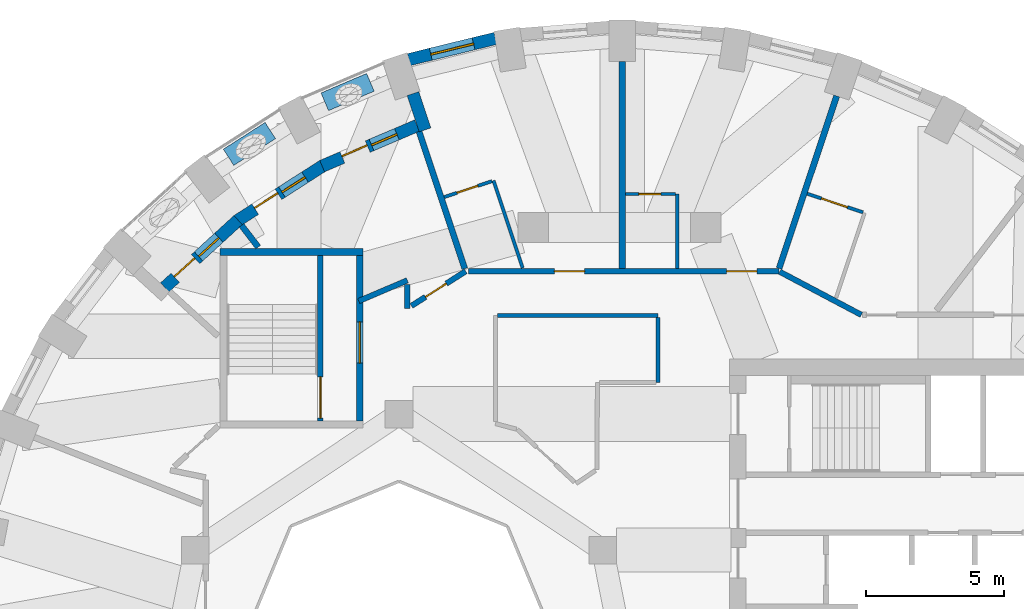
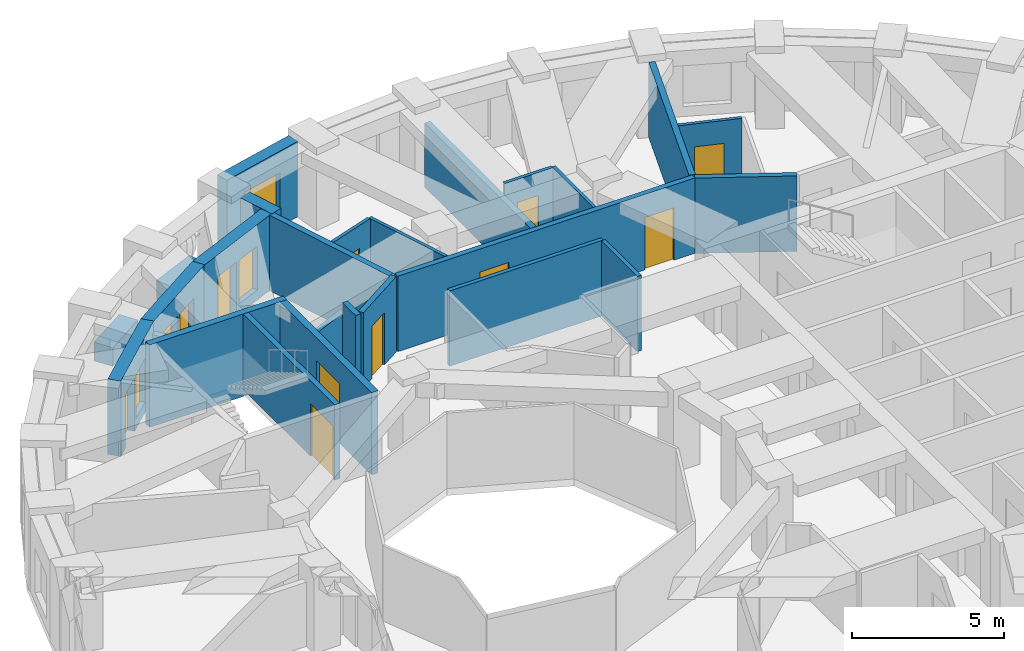
# One storey, part 7 of 12: 26 walls, 11 doors, 4 windows, 15 openings.
"""IFC4 building model written with IfcOpenShell, lengths in metres."""

from ifc_helpers import new_model, si_unit, direction, frame, frame_2d, origin, place, context, subcontext, project, spatial, rectangle, extrude, material, layer, layer_set, constituent, constituent_set, type_object, element, fill, save


model = new_model("IFC4")

# Units and contexts
model_context = context("Model", 3, precision=1e-05, world=origin(), true_north=direction((0.0, 1.0)))
body_context = subcontext(model_context, "Body", "Model", "MODEL_VIEW")
ifc_project = project(units=[si_unit("LENGTHUNIT", "METRE"), si_unit("AREAUNIT", "SQUARE_METRE"), si_unit("VOLUMEUNIT", "CUBIC_METRE"), si_unit("PLANEANGLEUNIT", "RADIAN"), si_unit("MASSUNIT", "GRAM", prefix="KILO")], contexts=[model_context])

# Site, building, storey
site_placement = place(None, origin())
site = spatial("IfcSite", under=ifc_project, at=site_placement, CompositionType="ELEMENT")
building_placement = place(site_placement, origin())
building = spatial("IfcBuilding", under=site, at=building_placement, Name="Taillehof Tower", CompositionType="ELEMENT")
storey_placement = place(building_placement, frame((0.0, 0.0, 164.89990234375)))
storey = spatial("IfcBuildingStorey", under=building, at=storey_placement, Name="L46", CompositionType="ELEMENT", Elevation=164.89990234375)

# Wall, opening, window
ifc_material_1 = material(Name="Brick masonry", Category="masonry")
ifc_layer_1 = layer(ifc_material_1, 0.449951171875)
ifc_layer_set_1 = layer_set([ifc_layer_1], Name="Brick infill wall 450")
wall_type_1 = type_object("IfcWallType", Name="Brick infill wall 450", PredefinedType="SOLIDWALL", material=ifc_layer_set_1)
wall_1_placement = place(storey_placement, frame((-4.499267578125, 21.633056640625, 0.0), z_axis=(0.0, 0.0, 1.0), x_axis=(-0.971232901476, -0.238131583563, 0.0)))
wall_1 = element("IfcWall", 1, at=wall_1_placement, inside=storey, type_object=wall_type_1, Name="Brick wall L46 bay 11", PredefinedType="SOLIDWALL", context=body_context, shape_type="SweptSolid", body=[
    extrude(rectangle(XDim=3.236572265625, YDim=0.449951171875, at=frame_2d((1.6181640625, 0.0))), origin(), (0.0, 0.0, 1.0), 3.02001953125),
])
opening_1_placement = place(wall_1_placement, frame((0.818359375, 0.0, 0.39990234375)))
opening_1 = element("IfcOpeningElement", 2, at=opening_1_placement, cuts=wall_1, Name="Opening W3", PredefinedType="OPENING", context=body_context, shape_type="SweptSolid", body=[
    extrude(rectangle(XDim=1.60009765625, YDim=1.75, at=frame_2d((0.800048828125, 0.875))), frame((0.0, 0.23486328125, 0.0), z_axis=(0.0, -1.0, 0.0), x_axis=(1.0, 0.0, 0.0)), (0.0, 0.0, 1.0), 0.469970703125),
])
ifc_material_2 = material(Name="Aluminium window frame with clear double glazing", Category="aluminium")
window_type_1 = type_object("IfcWindowType", Name="Deep-set window 1600x1750", PartitioningType="SINGLE_PANEL", PredefinedType="WINDOW", material=ifc_material_2)
window_1_placement = place(opening_1_placement, origin())
window_1 = element("IfcWindow", 3, at=window_1_placement, inside=storey, type_object=window_type_1, Name="W3", OverallHeight=1.75, OverallWidth=1.60009765625, PartitioningType="SINGLE_PANEL", PredefinedType="WINDOW", context=body_context, shape_type="SweptSolid", body=[
    extrude(rectangle(XDim=1.60009765625, YDim=1.75, at=frame_2d((0.800048828125, 0.875))), frame((0.0, 0.034912109375, 0.0), z_axis=(0.0, -1.0, 0.0), x_axis=(1.0, 0.0, 0.0)), (0.0, 0.0, 1.0), 0.06005859375),
])
fill(opening_1, window_1)

# Wall
wall_2_placement = place(storey_placement, frame((-7.494873046875, 19.62890625, 0.0), z_axis=(0.0, 0.0, 1.0), x_axis=(0.316754470825, -0.948507567293, 0.0)))
element("IfcWall", 4, at=wall_2_placement, inside=storey, type_object=wall_type_1, Name="Brick reveal L46 pocket 3", PredefinedType="SOLIDWALL", context=body_context, shape_type="SweptSolid", body=[
    extrude(rectangle(XDim=1.390380859375, YDim=0.449951171875, at=frame_2d((0.6953125, 0.0))), origin(), (0.0, 0.0, 1.0), 3.02001953125),
])

# Wall, openings, door, window
wall_3_placement = place(storey_placement, frame((-7.34521484375, 18.470458984375, 0.0), z_axis=(0.0, 0.0, 1.0), x_axis=(-0.919454986573, -0.393195279304, 0.0)))
wall_3 = element("IfcWall", 5, at=wall_3_placement, inside=storey, type_object=wall_type_1, Name="Brick wall L46 pocket bay 12", PredefinedType="SOLIDWALL", context=body_context, shape_type="SweptSolid", body=[
    extrude(rectangle(XDim=3.74462890625, YDim=0.449951171875, at=frame_2d((1.872314453125, 0.0))), origin(), (0.0, 0.0, 1.0), 3.02001953125),
])
opening_2_placement = place(wall_3_placement, frame((0.79736328125, 0.0, 0.39990234375)))
opening_2 = element("IfcOpeningElement", 6, at=opening_2_placement, cuts=wall_3, Name="Opening W5", PredefinedType="OPENING", context=body_context, shape_type="SweptSolid", body=[
    extrude(rectangle(XDim=1.0, YDim=1.75, at=frame_2d((0.5, 0.875))), frame((0.0, 0.23486328125, 0.0), z_axis=(0.0, -1.0, 0.0), x_axis=(1.0, 0.0, 0.0)), (0.0, 0.0, 1.0), 0.469970703125),
])
opening_3_placement = place(wall_3_placement, frame((1.947265625, 0.0, 0.0)))
opening_3 = element("IfcOpeningElement", 7, at=opening_3_placement, cuts=wall_3, Name="Opening D4691", PredefinedType="OPENING", context=body_context, shape_type="SweptSolid", body=[
    extrude(rectangle(XDim=1.0, YDim=2.14990234375, at=frame_2d((0.5, 1.074951171875))), frame((0.0, 0.23486328125, 0.0), z_axis=(0.0, -1.0, 0.0), x_axis=(1.0, 0.0, 0.0)), (0.0, 0.0, 1.0), 0.469970703125),
])
ifc_material_3 = material(Name="Aluminium door frame with clear double glazing", Category="aluminium")
door_type_1 = type_object("IfcDoorType", Name="Balcony door 1000x2150", OperationType="SINGLE_SWING_RIGHT", PredefinedType="DOOR", material=ifc_material_3)
door_1_placement = place(opening_3_placement, frame((1.0, 0.0, 0.0), z_axis=(0.0, 0.0, 1.0), x_axis=(-1.0, 0.0, 0.0)))
door_1 = element("IfcDoor", 8, at=door_1_placement, inside=storey, type_object=door_type_1, Name="Balcony door L46 bay 12", OperationType="SINGLE_SWING_RIGHT", OverallHeight=2.14990234375, OverallWidth=1.0, PredefinedType="DOOR", context=body_context, shape_type="SweptSolid", body=[
    extrude(rectangle(XDim=1.0, YDim=2.14990234375, at=frame_2d((0.5, 1.074951171875))), frame((0.0, 0.0751953125, 0.0), z_axis=(0.0, -1.0, 0.0), x_axis=(1.0, 0.0, 0.0)), (0.0, 0.0, 1.0), 0.050048828125),
])
fill(opening_3, door_1)
ifc_material_4 = material(Name="Aluminium window frame with clear double glazing", Category="aluminium")
window_type_2 = type_object("IfcWindowType", Name="Fixed window 1000x1750", PartitioningType="SINGLE_PANEL", PredefinedType="WINDOW", material=ifc_material_4)
window_2_placement = place(opening_2_placement, origin())
window_2 = element("IfcWindow", 9, at=window_2_placement, inside=storey, type_object=window_type_2, Name="W5", OverallHeight=1.75, OverallWidth=1.0, PartitioningType="SINGLE_PANEL", PredefinedType="WINDOW", context=body_context, shape_type="SweptSolid", body=[
    extrude(rectangle(XDim=1.0, YDim=1.75, at=frame_2d((0.5, 0.875))), frame((0.0, 0.034912109375, 0.0), z_axis=(0.0, -1.0, 0.0), x_axis=(1.0, 0.0, 0.0)), (0.0, 0.0, 1.0), 0.06005859375),
])
fill(opening_2, window_2)

wall_4_placement = place(storey_placement, frame((-10.755126953125, 17.015625, 0.0), z_axis=(0.0, 0.0, 1.0), x_axis=(-0.841405539996, -0.540404216549, 0.0)))
wall_4 = element("IfcWall", 10, at=wall_4_placement, inside=storey, type_object=wall_type_1, Name="Brick wall L46 pocket bay 13", PredefinedType="SOLIDWALL", context=body_context, shape_type="SweptSolid", body=[
    extrude(rectangle(XDim=3.701904296875, YDim=0.449951171875, at=frame_2d((1.85107421875, 0.0))), origin(), (0.0, 0.0, 1.0), 3.02001953125),
])
opening_4_placement = place(wall_4_placement, frame((0.77587890625, 0.0, 0.39990234375)))
opening_4 = element("IfcOpeningElement", 11, at=opening_4_placement, cuts=wall_4, Name="Opening W5", PredefinedType="OPENING", context=body_context, shape_type="SweptSolid", body=[
    extrude(rectangle(XDim=1.0, YDim=1.75, at=frame_2d((0.5, 0.875))), frame((0.0, 0.23486328125, 0.0), z_axis=(0.0, -1.0, 0.0), x_axis=(1.0, 0.0, 0.0)), (0.0, 0.0, 1.0), 0.469970703125),
])
opening_5_placement = place(wall_4_placement, frame((1.926025390625, 0.0, 0.0)))
opening_5 = element("IfcOpeningElement", 12, at=opening_5_placement, cuts=wall_4, Name="Opening D4692", PredefinedType="OPENING", context=body_context, shape_type="SweptSolid", body=[
    extrude(rectangle(XDim=1.0, YDim=2.14990234375, at=frame_2d((0.5, 1.074951171875))), frame((0.0, 0.23486328125, 0.0), z_axis=(0.0, -1.0, 0.0), x_axis=(1.0, 0.0, 0.0)), (0.0, 0.0, 1.0), 0.469970703125),
])
door_2_placement = place(opening_5_placement, frame((1.0, 0.0, 0.0), z_axis=(0.0, 0.0, 1.0), x_axis=(-1.0, 0.0, 0.0)))
door_2 = element("IfcDoor", 13, at=door_2_placement, inside=storey, type_object=door_type_1, Name="Balcony door L46 bay 13", OperationType="SINGLE_SWING_LEFT", OverallHeight=2.14990234375, OverallWidth=1.0, PredefinedType="DOOR", context=body_context, shape_type="SweptSolid", body=[
    extrude(rectangle(XDim=1.0, YDim=2.14990234375, at=frame_2d((0.5, 1.074951171875))), frame((0.0, 0.0751953125, 0.0), z_axis=(0.0, -1.0, 0.0), x_axis=(1.0, 0.0, 0.0)), (0.0, 0.0, 1.0), 0.050048828125),
])
fill(opening_5, door_2)
window_3_placement = place(opening_4_placement, origin())
window_3 = element("IfcWindow", 14, at=window_3_placement, inside=storey, type_object=window_type_2, Name="W5", OverallHeight=1.75, OverallWidth=1.0, PartitioningType="SINGLE_PANEL", PredefinedType="WINDOW", context=body_context, shape_type="SweptSolid", body=[
    extrude(rectangle(XDim=1.0, YDim=1.75, at=frame_2d((0.5, 0.875))), frame((0.0, 0.034912109375, 0.0), z_axis=(0.0, -1.0, 0.0), x_axis=(1.0, 0.0, 0.0)), (0.0, 0.0, 1.0), 0.06005859375),
])
fill(opening_4, window_3)

wall_5_placement = place(storey_placement, frame((-13.83935546875, 15.03857421875, 0.0), z_axis=(0.0, 0.0, 1.0), x_axis=(-0.736971705023, -0.675923594791, 0.0)))
wall_5 = element("IfcWall", 15, at=wall_5_placement, inside=storey, type_object=wall_type_1, Name="Brick wall L46 pocket bay 14", PredefinedType="SOLIDWALL", context=body_context, shape_type="SweptSolid", body=[
    extrude(rectangle(XDim=3.611328125, YDim=0.449951171875, at=frame_2d((1.8056640625, 0.0))), origin(), (0.0, 0.0, 1.0), 3.02001953125),
])
opening_6_placement = place(wall_5_placement, frame((0.94580078125, 0.0, 0.39990234375)))
opening_6 = element("IfcOpeningElement", 16, at=opening_6_placement, cuts=wall_5, Name="Opening W5", PredefinedType="OPENING", context=body_context, shape_type="SweptSolid", body=[
    extrude(rectangle(XDim=1.0, YDim=1.75, at=frame_2d((0.5, 0.875))), frame((0.0, 0.23486328125, 0.0), z_axis=(0.0, -1.0, 0.0), x_axis=(1.0, 0.0, 0.0)), (0.0, 0.0, 1.0), 0.469970703125),
])
opening_7_placement = place(wall_5_placement, frame((2.095947265625, 0.0, 0.0)))
opening_7 = element("IfcOpeningElement", 17, at=opening_7_placement, cuts=wall_5, Name="Opening D4693", PredefinedType="OPENING", context=body_context, shape_type="SweptSolid", body=[
    extrude(rectangle(XDim=1.0, YDim=2.14990234375, at=frame_2d((0.5, 1.074951171875))), frame((0.0, 0.23486328125, 0.0), z_axis=(0.0, -1.0, 0.0), x_axis=(1.0, 0.0, 0.0)), (0.0, 0.0, 1.0), 0.469970703125),
])
door_3_placement = place(opening_7_placement, origin())
door_3 = element("IfcDoor", 18, at=door_3_placement, inside=storey, type_object=door_type_1, Name="Balcony door L46 bay 14", OperationType="SINGLE_SWING_LEFT", OverallHeight=2.14990234375, OverallWidth=1.0, PredefinedType="DOOR", context=body_context, shape_type="SweptSolid", body=[
    extrude(rectangle(XDim=1.0, YDim=2.14990234375, at=frame_2d((0.5, 1.074951171875))), frame((0.0, -0.02490234375, 0.0), z_axis=(0.0, -1.0, 0.0), x_axis=(1.0, 0.0, 0.0)), (0.0, 0.0, 1.0), 0.050048828125),
])
fill(opening_7, door_3)
window_4_placement = place(opening_6_placement, origin())
window_4 = element("IfcWindow", 19, at=window_4_placement, inside=storey, type_object=window_type_2, Name="W5", OverallHeight=1.75, OverallWidth=1.0, PartitioningType="SINGLE_PANEL", PredefinedType="WINDOW", context=body_context, shape_type="SweptSolid", body=[
    extrude(rectangle(XDim=1.0, YDim=1.75, at=frame_2d((0.5, 0.875))), frame((0.0, 0.034912109375, 0.0), z_axis=(0.0, -1.0, 0.0), x_axis=(1.0, 0.0, 0.0)), (0.0, 0.0, 1.0), 0.06005859375),
])
fill(opening_6, window_4)

# Walls
ifc_material_5 = material(Name="Gypsum board on steel studs, two layers each side", Category="steel")
ifc_layer_2 = layer(ifc_material_5, 0.199951171875)
ifc_layer_set_2 = layer_set([ifc_layer_2], Name="Compartment wall corridor 200")
wall_type_2 = type_object("IfcWallType", Name="Compartment wall corridor 200", PredefinedType="PARTITIONING", material=ifc_layer_set_2)
wall_6_placement = place(storey_placement, frame((-9.46044921875, 12.1005859375, 0.0), z_axis=(0.0, 0.0, 1.0), x_axis=(0.919441549003, 0.393226700475, 0.0)))
element("IfcWall", 20, at=wall_6_placement, inside=storey, type_object=wall_type_2, Name="Compartment wall", PredefinedType="PARTITIONING", context=body_context, shape_type="SweptSolid", body=[
    extrude(rectangle(XDim=1.914794921875, YDim=0.199951171875, at=frame_2d((0.95751953125, 0.0))), origin(), (0.0, 0.0, 1.0), 2.570068359375),
])
wall_7_placement = place(storey_placement, frame((-7.699951171875, 12.693359375, 0.0), z_axis=(0.0, 0.0, 1.0), x_axis=(0.0, -1.0, 0.0)))
element("IfcWall", 21, at=wall_7_placement, inside=storey, type_object=wall_type_2, Name="Compartment wall", PredefinedType="PARTITIONING", context=body_context, shape_type="SweptSolid", body=[
    extrude(rectangle(XDim=0.864013671875, YDim=0.199951171875, at=frame_2d((0.43212890625, 0.0))), origin(), (0.0, 0.0, 1.0), 3.02001953125),
])

# Wall, opening, door
wall_8_placement = place(storey_placement, frame((-7.54833984375, 11.926025390625, 0.0), z_axis=(0.0, 0.0, 1.0), x_axis=(0.842760799664, 0.538288244855, 0.0)))
wall_8 = element("IfcWall", 22, at=wall_8_placement, inside=storey, type_object=wall_type_2, Name="Compartment wall", PredefinedType="PARTITIONING", context=body_context, shape_type="SweptSolid", body=[
    extrude(rectangle(XDim=2.335693359375, YDim=0.199951171875, at=frame_2d((1.16796875, 0.0))), origin(), (0.0, 0.0, 1.0), 3.02001953125),
])
opening_8_placement = place(wall_8_placement, frame((0.602294921875, 0.0, 0.0)))
opening_8 = element("IfcOpeningElement", 23, at=opening_8_placement, cuts=wall_8, Name="Opening D4646", PredefinedType="OPENING", context=body_context, shape_type="SweptSolid", body=[
    extrude(rectangle(XDim=0.89990234375, YDim=2.10009765625, at=frame_2d((0.449951171875, 1.050048828125))), frame((0.0, 0.10986328125, 0.0), z_axis=(0.0, -1.0, 0.0), x_axis=(1.0, 0.0, 0.0)), (0.0, 0.0, 1.0), 0.219970703125),
])
ifc_material_6 = material(Name="Timber door leaf in steel frame", Category="steel")
door_type_2 = type_object("IfcDoorType", Name="Service room door EI 30 900 x 2100", OperationType="SINGLE_SWING_LEFT", PredefinedType="DOOR", material=ifc_material_6)
door_4_placement = place(opening_8_placement, origin())
door_4 = element("IfcDoor", 24, at=door_4_placement, inside=storey, type_object=door_type_2, Name="D4646", OperationType="SINGLE_SWING_LEFT", OverallHeight=2.10009765625, OverallWidth=0.89990234375, PredefinedType="DOOR", context=body_context, shape_type="SweptSolid", body=[
    extrude(rectangle(XDim=0.89990234375, YDim=2.10009765625, at=frame_2d((0.449951171875, 1.050048828125))), frame((0.0, 0.02490234375, 0.0), z_axis=(0.0, -1.0, 0.0), x_axis=(1.0, 0.0, 0.0)), (0.0, 0.0, 1.0), 0.050048828125),
])
fill(opening_8, door_4)

# Wall, openings, doors
wall_9_placement = place(storey_placement, frame((-5.479736328125, 13.183349609375, 0.0), z_axis=(0.0, 0.0, 1.0), x_axis=(1.0, 0.0, 0.0)))
wall_9 = element("IfcWall", 25, at=wall_9_placement, inside=storey, type_object=wall_type_2, Name="Compartment wall", PredefinedType="PARTITIONING", context=body_context, shape_type="SweptSolid", body=[
    extrude(rectangle(XDim=11.259765625, YDim=0.199951171875, at=frame_2d((5.6298828125, 0.0))), origin(), (0.0, 0.0, 1.0), 3.02001953125),
])
opening_9_placement = place(wall_9_placement, frame((9.368408203125, 0.0, 0.0)))
opening_9 = element("IfcOpeningElement", 26, at=opening_9_placement, cuts=wall_9, Name="Opening D4642", PredefinedType="OPENING", context=body_context, shape_type="SweptSolid", body=[
    extrude(rectangle(XDim=1.10009765625, YDim=2.10009765625, at=frame_2d((0.550048828125, 1.050048828125))), frame((0.0, 0.10986328125, 0.0), z_axis=(0.0, -1.0, 0.0), x_axis=(1.0, 0.0, 0.0)), (0.0, 0.0, 1.0), 0.219970703125),
])
opening_10_placement = place(wall_9_placement, frame((3.114501953125, 0.0, 0.0)))
opening_10 = element("IfcOpeningElement", 27, at=opening_10_placement, cuts=wall_9, Name="Opening D4644", PredefinedType="OPENING", context=body_context, shape_type="SweptSolid", body=[
    extrude(rectangle(XDim=1.10009765625, YDim=2.10009765625, at=frame_2d((0.550048828125, 1.050048828125))), frame((0.0, 0.10986328125, 0.0), z_axis=(0.0, -1.0, 0.0), x_axis=(1.0, 0.0, 0.0)), (0.0, 0.0, 1.0), 0.219970703125),
])
ifc_material_7 = material(Name="Timber door leaf in steel frame", Category="steel")
door_type_3 = type_object("IfcDoorType", Name="Suite entrance door EI 30 1100 x 2100", OperationType="SINGLE_SWING_LEFT", PredefinedType="DOOR", material=ifc_material_7)
door_5_placement = place(opening_9_placement, origin())
door_5 = element("IfcDoor", 28, at=door_5_placement, inside=storey, type_object=door_type_3, Name="D4642", OperationType="SINGLE_SWING_RIGHT", OverallHeight=2.10009765625, OverallWidth=1.10009765625, PredefinedType="DOOR", context=body_context, shape_type="SweptSolid", body=[
    extrude(rectangle(XDim=1.10009765625, YDim=2.10009765625, at=frame_2d((0.550048828125, 1.050048828125))), frame((0.0, 0.02490234375, 0.0), z_axis=(0.0, -1.0, 0.0), x_axis=(1.0, 0.0, 0.0)), (0.0, 0.0, 1.0), 0.050048828125),
])
fill(opening_9, door_5)
door_6_placement = place(opening_10_placement, origin())
door_6 = element("IfcDoor", 29, at=door_6_placement, inside=storey, type_object=door_type_3, Name="D4644", OperationType="SINGLE_SWING_LEFT", OverallHeight=2.10009765625, OverallWidth=1.10009765625, PredefinedType="DOOR", context=body_context, shape_type="SweptSolid", body=[
    extrude(rectangle(XDim=1.10009765625, YDim=2.10009765625, at=frame_2d((0.550048828125, 1.050048828125))), frame((0.0, 0.02490234375, 0.0), z_axis=(0.0, -1.0, 0.0), x_axis=(1.0, 0.0, 0.0)), (0.0, 0.0, 1.0), 0.050048828125),
])
fill(opening_10, door_6)

# Walls
wall_10_placement = place(storey_placement, frame((5.815185546875, 13.164794921875, 0.0), z_axis=(0.0, 0.0, 1.0), x_axis=(0.884172365794, -0.46716081553, 0.0)))
element("IfcWall", 30, at=wall_10_placement, inside=storey, type_object=wall_type_2, Name="Compartment wall", PredefinedType="PARTITIONING", context=body_context, shape_type="SweptSolid", body=[
    extrude(rectangle(XDim=3.349365234375, YDim=0.199951171875, at=frame_2d((1.6748046875, 0.0))), origin(), (0.0, 0.0, 1.0), 3.02001953125),
])
ifc_material_8 = material(Name="Gypsum board on double steel studs with mineral wool", Category="steel")
ifc_layer_3 = layer(ifc_material_8, 0.219970703125)
ifc_layer_set_3 = layer_set([ifc_layer_3], Name="Compartment wall guest room 220")
wall_type_3 = type_object("IfcWallType", Name="Compartment wall guest room 220", PredefinedType="PARTITIONING", material=ifc_layer_set_3)
wall_11_placement = place(storey_placement, frame((7.8828125, 19.544921875, 0.0), z_axis=(0.0, 0.0, 1.0), x_axis=(-0.316704947573, -0.948524104166, 0.0)))
element("IfcWall", 31, at=wall_11_placement, inside=storey, type_object=wall_type_3, Name="Compartment wall", PredefinedType="PARTITIONING", context=body_context, shape_type="SweptSolid", body=[
    extrude(rectangle(XDim=6.599365234375, YDim=0.219970703125, at=frame_2d((3.2998046875, 0.0))), origin(), (0.0, 0.0, 1.0), 3.02001953125),
])
wall_12_placement = place(storey_placement, frame((0.10009765625, 20.800048828125, 0.0), z_axis=(0.0, 0.0, 1.0), x_axis=(0.0, -1.0, 0.0)))
element("IfcWall", 32, at=wall_12_placement, inside=storey, type_object=wall_type_3, Name="Compartment wall", PredefinedType="PARTITIONING", context=body_context, shape_type="SweptSolid", body=[
    extrude(rectangle(XDim=7.5166015625, YDim=0.219970703125, at=frame_2d((3.75830078125, 0.0))), origin(), (0.0, 0.0, 1.0), 2.570068359375),
])
wall_13_placement = place(storey_placement, frame((-7.27392578125, 18.25634765625, 0.0), z_axis=(0.0, 0.0, 1.0), x_axis=(0.316758050248, -0.948506371936, 0.0)))
element("IfcWall", 33, at=wall_13_placement, inside=storey, type_object=wall_type_3, Name="Compartment wall", PredefinedType="PARTITIONING", context=body_context, shape_type="SweptSolid", body=[
    extrude(rectangle(XDim=5.248046875, YDim=0.219970703125, at=frame_2d((2.6240234375, 0.0))), origin(), (0.0, 0.0, 1.0), 3.02001953125),
])
wall_14_placement = place(storey_placement, frame((-13.716064453125, 14.846435546875, 0.0), z_axis=(0.0, 0.0, 1.0), x_axis=(0.609971806764, -0.792423116115, 0.0)))
element("IfcWall", 34, at=wall_14_placement, inside=storey, type_object=wall_type_3, Name="Compartment wall", PredefinedType="PARTITIONING", context=body_context, shape_type="SweptSolid", body=[
    extrude(rectangle(XDim=0.994140625, YDim=0.219970703125, at=frame_2d((0.4970703125, 0.0))), origin(), (0.0, 0.0, 1.0), 2.570068359375),
])
ifc_material_9 = material(Name="Gypsum board on steel studs, two layers each side", Category="steel")
ifc_layer_4 = layer(ifc_material_9, 0.14990234375)
ifc_layer_set_4 = layer_set([ifc_layer_4], Name="Compartment wall service room 150")
wall_type_4 = type_object("IfcWallType", Name="Compartment wall service room 150", PredefinedType="PARTITIONING", material=ifc_layer_set_4)
wall_15_placement = place(storey_placement, frame((-4.419921875, 11.583251953125, 0.0), z_axis=(0.0, 0.0, 1.0), x_axis=(1.0, 0.0, 0.0)))
element("IfcWall", 35, at=wall_15_placement, inside=storey, type_object=wall_type_4, Name="Compartment wall", PredefinedType="PARTITIONING", context=body_context, shape_type="SweptSolid", body=[
    extrude(rectangle(XDim=5.81982421875, YDim=0.14990234375, at=frame_2d((2.909912109375, 0.0))), origin(), (0.0, 0.0, 1.0), 3.02001953125),
])
wall_16_placement = place(storey_placement, frame((1.39990234375, 11.503173828125, 0.0), z_axis=(0.0, 0.0, 1.0), x_axis=(0.0, -1.0, 0.0)))
element("IfcWall", 36, at=wall_16_placement, inside=storey, type_object=wall_type_4, Name="Compartment wall", PredefinedType="PARTITIONING", context=body_context, shape_type="SweptSolid", body=[
    extrude(rectangle(XDim=2.353271484375, YDim=0.14990234375, at=frame_2d((1.1767578125, 0.0))), origin(), (0.0, 0.0, 1.0), 3.02001953125),
])
ifc_material_10 = material(Name="Gypsum board on steel studs, moisture resistant", Category="steel")
ifc_layer_5 = layer(ifc_material_10, 0.1201171875)
ifc_layer_set_5 = layer_set([ifc_layer_5], Name="En-suite wall 120")
wall_type_5 = type_object("IfcWallType", Name="En-suite wall 120", PredefinedType="PARTITIONING", material=ifc_layer_set_5)
wall_17_placement = place(storey_placement, frame((2.10009765625, 13.283447265625, 0.0), z_axis=(0.0, 0.0, 1.0), x_axis=(0.0, 1.0, 0.0)))
element("IfcWall", 37, at=wall_17_placement, inside=storey, type_object=wall_type_5, Name="En-suite wall", PredefinedType="PARTITIONING", context=body_context, shape_type="SweptSolid", body=[
    extrude(rectangle(XDim=2.69970703125, YDim=0.1201171875, at=frame_2d((1.349853515625, 0.0))), origin(), (0.0, 0.0, 1.0), 3.02001953125),
])
wall_18_placement = place(storey_placement, frame((-3.51123046875, 13.302490234375, 0.0), z_axis=(0.0, 0.0, 1.0), x_axis=(-0.316666024344, 0.948537099447, 0.0)))
element("IfcWall", 38, at=wall_18_placement, inside=storey, type_object=wall_type_5, Name="En-suite wall", PredefinedType="PARTITIONING", context=body_context, shape_type="SweptSolid", body=[
    extrude(rectangle(XDim=3.34228515625, YDim=0.1201171875, at=frame_2d((1.671142578125, 0.0))), origin(), (0.0, 0.0, 1.0), 3.02001953125),
])

# Wall, opening, door
wall_19_placement = place(storey_placement, frame((8.83349609375, 15.319580078125, 0.0), z_axis=(0.0, 0.0, 1.0), x_axis=(-0.948557130447, 0.316606017438, 0.0)))
wall_19 = element("IfcWall", 39, at=wall_19_placement, inside=storey, type_object=wall_type_5, Name="En-suite wall", PredefinedType="PARTITIONING", context=body_context, shape_type="SweptSolid", body=[
    extrude(rectangle(XDim=2.1298828125, YDim=0.1201171875, at=frame_2d((1.06494140625, 0.0))), origin(), (0.0, 0.0, 1.0), 3.02001953125),
])
opening_11_placement = place(wall_19_placement, frame((0.58984375, 0.0, 0.0)))
opening_11 = element("IfcOpeningElement", 40, at=opening_11_placement, cuts=wall_19, Name="Opening D4641", PredefinedType="OPENING", context=body_context, shape_type="SweptSolid", body=[
    extrude(rectangle(XDim=1.0, YDim=2.10009765625, at=frame_2d((0.5, 1.050048828125))), frame((0.0, 0.070068359375, 0.0), z_axis=(0.0, -1.0, 0.0), x_axis=(1.0, 0.0, 0.0)), (0.0, 0.0, 1.0), 0.14013671875),
])
ifc_material_11 = material(Name="Timber door leaf in steel frame", Category="steel")
door_type_4 = type_object("IfcDoorType", Name="Accessible en-suite door 1000 x 2100", OperationType="SINGLE_SWING_LEFT", PredefinedType="DOOR", material=ifc_material_11)
door_7_placement = place(opening_11_placement, origin())
door_7 = element("IfcDoor", 41, at=door_7_placement, inside=storey, type_object=door_type_4, Name="D4641", OperationType="SINGLE_SWING_LEFT", OverallHeight=2.10009765625, OverallWidth=1.0, PredefinedType="DOOR", context=body_context, shape_type="SweptSolid", body=[
    extrude(rectangle(XDim=1.0, YDim=2.10009765625, at=frame_2d((0.5, 1.050048828125))), frame((0.0, 0.02490234375, 0.0), z_axis=(0.0, -1.0, 0.0), x_axis=(1.0, 0.0, 0.0)), (0.0, 0.0, 1.0), 0.050048828125),
])
fill(opening_11, door_7)

wall_20_placement = place(storey_placement, frame((2.0400390625, 15.983154296875, 0.0), z_axis=(0.0, 0.0, 1.0), x_axis=(-1.0, 0.0, 0.0)))
wall_20 = element("IfcWall", 42, at=wall_20_placement, inside=storey, type_object=wall_type_5, Name="En-suite wall", PredefinedType="PARTITIONING", context=body_context, shape_type="SweptSolid", body=[
    extrude(rectangle(XDim=1.829833984375, YDim=0.1201171875, at=frame_2d((0.9150390625, 0.0))), origin(), (0.0, 0.0, 1.0), 3.02001953125),
])
opening_12_placement = place(wall_20_placement, frame((0.5400390625, 0.0, 0.0)))
opening_12 = element("IfcOpeningElement", 43, at=opening_12_placement, cuts=wall_20, Name="Opening D4643", PredefinedType="OPENING", context=body_context, shape_type="SweptSolid", body=[
    extrude(rectangle(XDim=0.800048828125, YDim=2.10009765625, at=frame_2d((0.39990234375, 1.050048828125))), frame((0.0, 0.070068359375, 0.0), z_axis=(0.0, -1.0, 0.0), x_axis=(1.0, 0.0, 0.0)), (0.0, 0.0, 1.0), 0.14013671875),
])
ifc_material_12 = material(Name="Timber door leaf in steel frame", Category="steel")
door_type_5 = type_object("IfcDoorType", Name="En-suite door 800 x 2100", OperationType="SINGLE_SWING_LEFT", PredefinedType="DOOR", material=ifc_material_12)
door_8_placement = place(opening_12_placement, origin())
door_8 = element("IfcDoor", 44, at=door_8_placement, inside=storey, type_object=door_type_5, Name="D4643", OperationType="SINGLE_SWING_LEFT", OverallHeight=2.10009765625, OverallWidth=0.800048828125, PredefinedType="DOOR", context=body_context, shape_type="SweptSolid", body=[
    extrude(rectangle(XDim=0.800048828125, YDim=2.10009765625, at=frame_2d((0.39990234375, 1.050048828125))), frame((0.0, 0.02490234375, 0.0), z_axis=(0.0, -1.0, 0.0), x_axis=(1.0, 0.0, 0.0)), (0.0, 0.0, 1.0), 0.050048828125),
])
fill(opening_12, door_8)

wall_21_placement = place(storey_placement, frame((-4.62646484375, 16.45361328125, 0.0), z_axis=(0.0, 0.0, 1.0), x_axis=(-0.9485230882, -0.31670799035, 0.0)))
wall_21 = element("IfcWall", 45, at=wall_21_placement, inside=storey, type_object=wall_type_5, Name="En-suite wall", PredefinedType="PARTITIONING", context=body_context, shape_type="SweptSolid", body=[
    extrude(rectangle(XDim=1.830078125, YDim=0.1201171875, at=frame_2d((0.9150390625, 0.0))), origin(), (0.0, 0.0, 1.0), 3.02001953125),
])
opening_13_placement = place(wall_21_placement, frame((0.5400390625, 0.0, 0.0)))
opening_13 = element("IfcOpeningElement", 46, at=opening_13_placement, cuts=wall_21, Name="Opening D4645", PredefinedType="OPENING", context=body_context, shape_type="SweptSolid", body=[
    extrude(rectangle(XDim=0.800048828125, YDim=2.10009765625, at=frame_2d((0.39990234375, 1.050048828125))), frame((0.0, 0.070068359375, 0.0), z_axis=(0.0, -1.0, 0.0), x_axis=(1.0, 0.0, 0.0)), (0.0, 0.0, 1.0), 0.14013671875),
])
door_9_placement = place(opening_13_placement, origin())
door_9 = element("IfcDoor", 47, at=door_9_placement, inside=storey, type_object=door_type_5, Name="D4645", OperationType="SINGLE_SWING_LEFT", OverallHeight=2.10009765625, OverallWidth=0.800048828125, PredefinedType="DOOR", context=body_context, shape_type="SweptSolid", body=[
    extrude(rectangle(XDim=0.800048828125, YDim=2.10009765625, at=frame_2d((0.39990234375, 1.050048828125))), frame((0.0, 0.02490234375, 0.0), z_axis=(0.0, -1.0, 0.0), x_axis=(1.0, 0.0, 0.0)), (0.0, 0.0, 1.0), 0.050048828125),
])
fill(opening_13, door_9)

# Walls
ifc_material_13 = material(Name="Concrete C30/37 precast", Category="concrete")
ifc_constituent_1 = constituent(ifc_material_13, Name="Structure", Category="concrete")
ifc_material_14 = material(Name="Insulated lining")
ifc_constituent_2 = constituent(ifc_material_14, Name="Lining")
ifc_constituent_set = constituent_set(constituents=[ifc_constituent_1, ifc_constituent_2], Name="Planter trough 700x750")
wall_type_6 = type_object("IfcWallType", Name="Planter trough 700x750", PredefinedType="USERDEFINED", material=ifc_constituent_set)
for number, where, z_axis, x_axis, name in (
    (48, (-9.038818359375, 20.03759765625, 0.0), (0.0, 0.0, 1.0), (-0.919810148832, -0.3923637217, 0.0), "Planter L46 bay 12"),
    (49, (-12.67041015625, 18.28857421875, 0.0), (0.0, 0.0, 1.0), (-0.842032375698, -0.539426990682, 0.0), "Planter L46 bay 13"),
):
    element("IfcWall", number, at=place(storey_placement, frame(where, z_axis=z_axis, x_axis=x_axis)), inside=storey, type_object=wall_type_6, Name=name, ObjectType="PLANTER", PredefinedType="USERDEFINED", context=body_context, shape_type="SweptSolid", body=[
        extrude(rectangle(XDim=1.800048828125, YDim=0.699951171875, at=frame_2d((0.89990234375, 0.0))), origin(), (0.0, 0.0, 1.0), 0.75),
    ])

# Wall, opening, door
ifc_material_15 = material(Name="Concrete C50/60", Category="concrete")
ifc_layer_6 = layer(ifc_material_15, 0.199951171875)
ifc_layer_set_6 = layer_set([ifc_layer_6], Name="Shaft wall C50/60 200")
wall_type_7 = type_object("IfcWallType", Name="Shaft wall C50/60 200", PredefinedType="SHEAR", material=ifc_layer_set_6)
wall_22_placement = place(storey_placement, frame((-10.85009765625, 7.75, 0.0), z_axis=(0.0, 0.0, 1.0), x_axis=(0.0, 1.0, 0.0)))
wall_22 = element("IfcWall", 50, at=wall_22_placement, inside=storey, type_object=wall_type_7, Name="Shaft wall SW", PredefinedType="SHEAR", context=body_context, shape_type="SweptSolid", body=[
    extrude(rectangle(XDim=6.0, YDim=0.199951171875, at=frame_2d((3.0, 0.0))), origin(), (0.0, 0.0, 1.0), 3.02001953125),
])
opening_14_placement = place(wall_22_placement, frame((0.10009765625, 0.0, 0.0)))
opening_14 = element("IfcOpeningElement", 51, at=opening_14_placement, cuts=wall_22, Name="Opening D4612", PredefinedType="OPENING", context=body_context, shape_type="SweptSolid", body=[
    extrude(rectangle(XDim=1.5, YDim=2.10009765625, at=frame_2d((0.75, 1.050048828125))), frame((0.0, 0.10986328125, 0.0), z_axis=(0.0, -1.0, 0.0), x_axis=(1.0, 0.0, 0.0)), (0.0, 0.0, 1.0), 0.219970703125),
])
ifc_material_16 = material(Name="Steel-faced fire door", Category="steel")
door_type_6 = type_object("IfcDoorType", Name="Stair door 1500x2100", OperationType="DOUBLE_DOOR_SINGLE_SWING", PredefinedType="DOOR", material=ifc_material_16)
door_10_placement = place(opening_14_placement, origin())
door_10 = element("IfcDoor", 52, at=door_10_placement, inside=storey, type_object=door_type_6, Name="Stair lobby door S3", OperationType="DOUBLE_DOOR_SINGLE_SWING", OverallHeight=2.10009765625, OverallWidth=1.5, PredefinedType="DOOR", context=body_context, shape_type="SweptSolid", body=[
    extrude(rectangle(XDim=1.5, YDim=2.10009765625, at=frame_2d((0.75, 1.050048828125))), frame((0.0, 0.02490234375, 0.0), z_axis=(0.0, -1.0, 0.0), x_axis=(1.0, 0.0, 0.0)), (0.0, 0.0, 1.0), 0.050048828125),
])
fill(opening_14, door_10)

ifc_material_17 = material(Name="Concrete C50/60", Category="concrete")
ifc_layer_7 = layer(ifc_material_17, 0.25)
ifc_layer_set_7 = layer_set([ifc_layer_7], Name="Stair wall C50/60 250")
wall_type_8 = type_object("IfcWallType", Name="Stair wall C50/60 250", PredefinedType="SHEAR", material=ifc_layer_set_7)
wall_23_placement = place(storey_placement, frame((-9.425048828125, 7.75, -0.27978515625), z_axis=(0.0, 0.0, 1.0), x_axis=(0.0, 1.0, 0.0)))
wall_23 = element("IfcWall", 53, at=wall_23_placement, inside=storey, type_object=wall_type_8, Name="Stair wall SC", PredefinedType="SHEAR", context=body_context, shape_type="SweptSolid", body=[
    extrude(rectangle(XDim=6.0, YDim=0.25, at=frame_2d((3.0, 0.0))), origin(), (0.0, 0.0, 1.0), 3.2998046875),
])
opening_15_placement = place(wall_23_placement, frame((2.10009765625, 0.0, 0.280029296875)))
opening_15 = element("IfcOpeningElement", 54, at=opening_15_placement, cuts=wall_23, Name="Opening D4615", PredefinedType="OPENING", context=body_context, shape_type="SweptSolid", body=[
    extrude(rectangle(XDim=1.5, YDim=2.10009765625, at=frame_2d((0.75, 1.050048828125))), frame((0.0, 0.135009765625, 0.0), z_axis=(0.0, -1.0, 0.0), x_axis=(1.0, 0.0, 0.0)), (0.0, 0.0, 1.0), 0.27001953125),
])
door_11_placement = place(opening_15_placement, origin())
door_11 = element("IfcDoor", 55, at=door_11_placement, inside=storey, type_object=door_type_6, Name="Stair door S3", OperationType="DOUBLE_DOOR_SINGLE_SWING", OverallHeight=2.10009765625, OverallWidth=1.5, PredefinedType="DOOR", context=body_context, shape_type="SweptSolid", body=[
    extrude(rectangle(XDim=1.5, YDim=2.10009765625, at=frame_2d((0.75, 1.050048828125))), frame((0.0, 0.02490234375, 0.0), z_axis=(0.0, -1.0, 0.0), x_axis=(1.0, 0.0, 0.0)), (0.0, 0.0, 1.0), 0.050048828125),
])
fill(opening_15, door_11)

# Wall
wall_24_placement = place(storey_placement, frame((-14.5, 13.875, -0.27978515625), z_axis=(0.0, 0.0, 1.0), x_axis=(1.0, 0.0, 0.0)))
element("IfcWall", 56, at=wall_24_placement, inside=storey, type_object=wall_type_8, Name="Stair wall SC", PredefinedType="SHEAR", context=body_context, shape_type="SweptSolid", body=[
    extrude(rectangle(XDim=5.199951171875, YDim=0.25, at=frame_2d((2.60009765625, 0.0))), origin(), (0.0, 0.0, 1.0), 3.2998046875),
])

save(model, "model.ifc")
